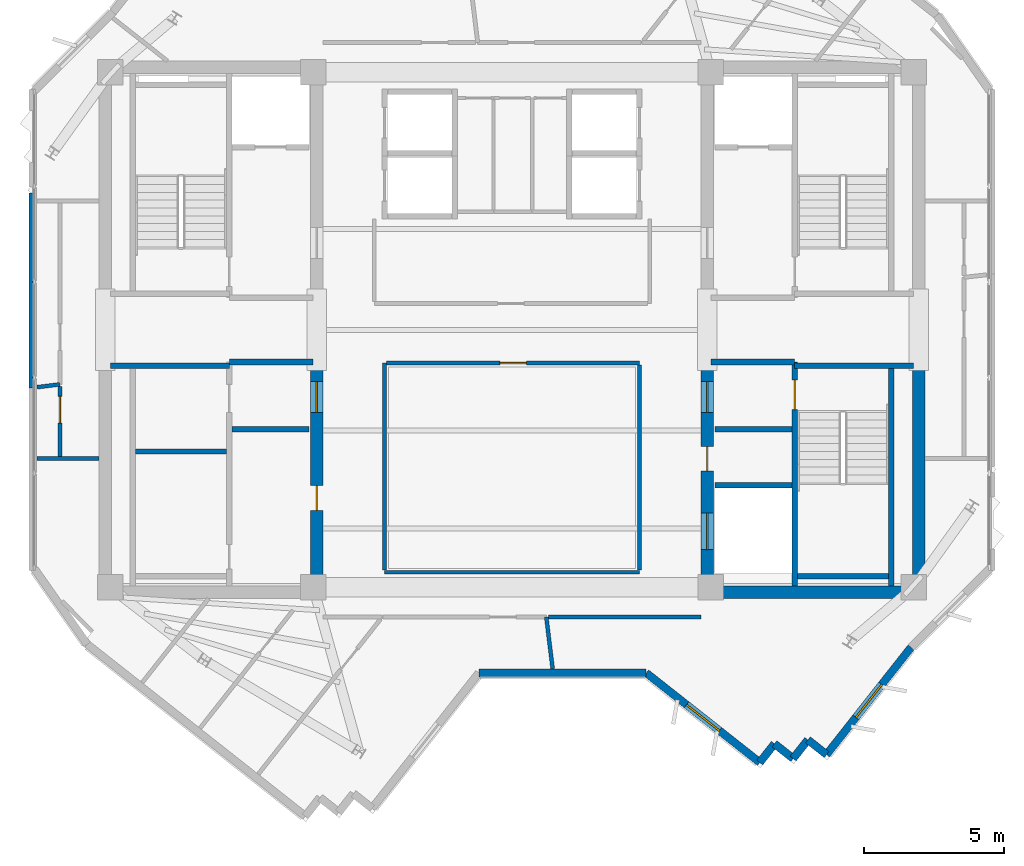
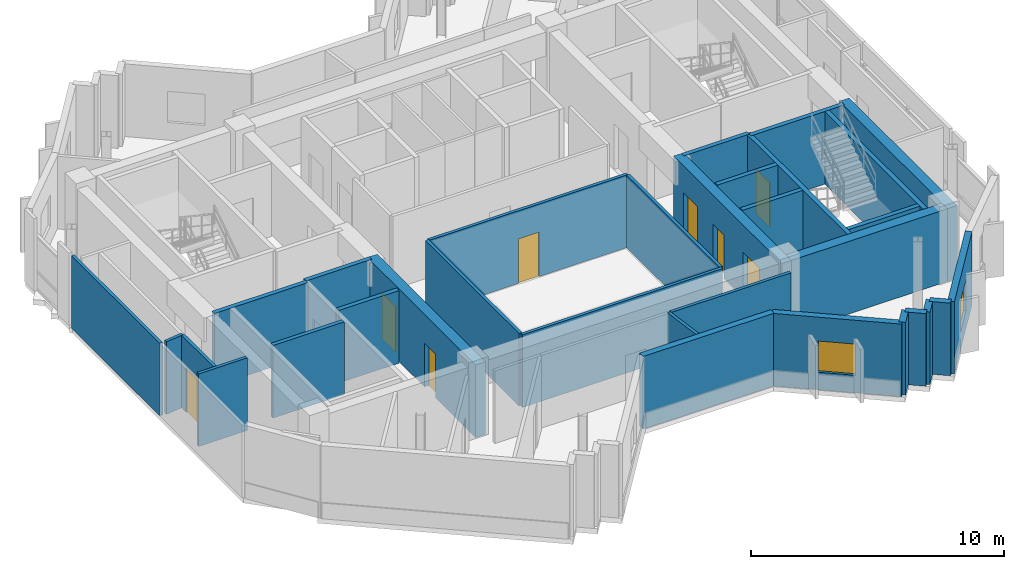
# One storey, part 5 of 10: 32 walls, 8 doors, 2 windows, 10 openings.
"""IFC4 building model written with IfcOpenShell, lengths in metres."""

from ifc_helpers import new_model, si_unit, direction, frame, frame_2d, origin, place, context, subcontext, project, spatial, rectangle, extrude, source, transform, mapped, material, layer, layer_set, type_object, element, fill, save


model = new_model("IFC4")

# Units and contexts
model_context = context("Model", 3, precision=1e-05, world=origin(), true_north=direction((0.0, 1.0)))
body_context = subcontext(model_context, "Body", "Model", "MODEL_VIEW")
ifc_project = project(units=[si_unit("LENGTHUNIT", "METRE"), si_unit("AREAUNIT", "SQUARE_METRE"), si_unit("VOLUMEUNIT", "CUBIC_METRE"), si_unit("PLANEANGLEUNIT", "RADIAN"), si_unit("MASSUNIT", "GRAM", prefix="KILO")], contexts=[model_context])

# Site, building, storey
site_placement = place(None, origin())
site = spatial("IfcSite", under=ifc_project, at=site_placement, CompositionType="ELEMENT")
building_placement = place(site_placement, origin())
building = spatial("IfcBuilding", under=site, at=building_placement, Name="Zahravan Cultural Tower", CompositionType="ELEMENT")
storey_placement = place(building_placement, frame((0.0, 0.0, 323.550048828125)))
storey = spatial("IfcBuildingStorey", under=building, at=storey_placement, Name="L78", CompositionType="ELEMENT", Elevation=323.550048828125)

# Wall, openings, doors
ifc_material_1 = material(Name="Concrete C50/60", Category="concrete")
ifc_layer_1 = layer(ifc_material_1, 0.449951171875)
ifc_layer_set_1 = layer_set([ifc_layer_1], Name="Concrete C50/60")
wall_type_1 = type_object("IfcWallType", Name="CW-SHEAR-450-C50", PredefinedType="SHEAR", material=ifc_layer_set_1)
wall_1_placement = place(storey_placement, frame((29.02490234375, 17.39990234375, 0.0), z_axis=(0.0, 0.0, 1.0), x_axis=(0.0, 1.0, 0.0)))
wall_1 = element("IfcWall", 1, at=wall_1_placement, inside=storey, type_object=wall_type_1, Name="L78 Core Shear Wall CW-W-ES-L78", PredefinedType="SHEAR", context=body_context, shape_type="SweptSolid", body=[
    extrude(rectangle(XDim=8.550048828125, YDim=0.449951171875, at=frame_2d((4.27490234375, 0.0))), origin(), (0.0, 0.0, 1.0), 3.5),
])
opening_1_placement = place(wall_1_placement, frame((6.64990234375, 0.0, 0.0)))
opening_1 = element("IfcOpeningElement", 2, at=opening_1_placement, cuts=wall_1, Name="Opening D-L78-08", PredefinedType="OPENING", context=body_context, shape_type="SweptSolid", body=[
    extrude(rectangle(XDim=1.10009765625, YDim=2.199951171875, at=frame_2d((0.550048828125, 1.10009765625))), frame((0.0, 0.23486328125, 0.0), z_axis=(0.0, -1.0, 0.0), x_axis=(1.0, 0.0, 0.0)), (0.0, 0.0, 1.0), 0.469970703125),
])
opening_2_placement = place(wall_1_placement, frame((3.14990234375, 0.0, 0.0)))
opening_2 = element("IfcOpeningElement", 3, at=opening_2_placement, cuts=wall_1, Name="Opening D-L78-10", PredefinedType="OPENING", context=body_context, shape_type="SweptSolid", body=[
    extrude(rectangle(XDim=0.8798828125, YDim=2.10009765625, at=frame_2d((0.43994140625, 1.050048828125))), frame((0.0, 0.23486328125, 0.0), z_axis=(0.0, -1.0, 0.0), x_axis=(1.0, 0.0, 0.0)), (0.0, 0.0, 1.0), 0.469970703125),
])
ifc_material_2 = material(Name="Steel ASTM A572 Grade 50", Category="steel")
door_type_1 = type_object("IfcDoorType", Name="DR-LOBBY-1100", OperationType="NOTDEFINED", PredefinedType="DOOR", material=ifc_material_2)
shared_shape_1 = source(origin(), body_context, "Body", "SweptSolid", [
    extrude(rectangle(XDim=1.10009765625, YDim=2.199951171875, at=frame_2d((0.550048828125, 1.10009765625))), frame((0.0, 0.02490234375, 0.0), z_axis=(0.0, -1.0, 0.0), x_axis=(1.0, 0.0, 0.0)), (0.0, 0.0, 1.0), 0.050048828125),
])
door_1_placement = place(opening_1_placement, origin())
door_1 = element("IfcDoor", 4, at=door_1_placement, inside=storey, type_object=door_type_1, Name="L78 Door D-L78-08", OperationType="SINGLE_SWING_LEFT", OverallHeight=2.199951171875, OverallWidth=1.10009765625, PredefinedType="DOOR", context=body_context, shape_type="MappedRepresentation", body=[
    mapped(shared_shape_1, transform((0.0, 0.0, 0.0), x_axis=(1.0, 0.0, 0.0), y_axis=(0.0, 1.0, 0.0), z_axis=(0.0, 0.0, 1.0), scale=1.0)),
])
fill(opening_1, door_1)
door_type_2 = type_object("IfcDoorType", Name="DR-SVC-880", OperationType="NOTDEFINED", PredefinedType="DOOR", material=ifc_material_2)
shared_shape_2 = source(origin(), body_context, "Body", "SweptSolid", [
    extrude(rectangle(XDim=0.8798828125, YDim=2.10009765625, at=frame_2d((0.43994140625, 1.050048828125))), frame((0.0, 0.02490234375, 0.0), z_axis=(0.0, -1.0, 0.0), x_axis=(1.0, 0.0, 0.0)), (0.0, 0.0, 1.0), 0.050048828125),
])
door_2_placement = place(opening_2_placement, origin())
door_2 = element("IfcDoor", 5, at=door_2_placement, inside=storey, type_object=door_type_2, Name="L78 Door D-L78-10", OperationType="SINGLE_SWING_LEFT", OverallHeight=2.10009765625, OverallWidth=0.8798828125, PredefinedType="DOOR", context=body_context, shape_type="MappedRepresentation", body=[
    mapped(shared_shape_2, transform((0.0, 0.0, 0.0), x_axis=(1.0, 0.0, 0.0), y_axis=(0.0, 1.0, 0.0), z_axis=(0.0, 0.0, 1.0), scale=1.0)),
])
fill(opening_2, door_2)

wall_2_placement = place(storey_placement, frame((42.97509765625, 17.39990234375, 0.0), z_axis=(0.0, 0.0, 1.0), x_axis=(0.0, 1.0, 0.0)))
wall_2 = element("IfcWall", 6, at=wall_2_placement, inside=storey, type_object=wall_type_1, Name="L78 Core Shear Wall CW-E-WS-L78", PredefinedType="SHEAR", context=body_context, shape_type="SweptSolid", body=[
    extrude(rectangle(XDim=8.550048828125, YDim=0.449951171875, at=frame_2d((4.27490234375, 0.0))), origin(), (0.0, 0.0, 1.0), 3.5),
])
opening_3_placement = place(wall_2_placement, frame((6.64990234375, 0.0, 0.0)))
opening_3 = element("IfcOpeningElement", 7, at=opening_3_placement, cuts=wall_2, Name="Opening D-L78-09", PredefinedType="OPENING", context=body_context, shape_type="SweptSolid", body=[
    extrude(rectangle(XDim=1.10009765625, YDim=2.199951171875, at=frame_2d((0.550048828125, 1.10009765625))), frame((0.0, 0.23486328125, 0.0), z_axis=(0.0, -1.0, 0.0), x_axis=(1.0, 0.0, 0.0)), (0.0, 0.0, 1.0), 0.469970703125),
])
opening_4_placement = place(wall_2_placement, frame((1.75, 0.0, 0.0)))
opening_4 = element("IfcOpeningElement", 8, at=opening_4_placement, cuts=wall_2, Name="Opening LD-L78-03", PredefinedType="OPENING", context=body_context, shape_type="SweptSolid", body=[
    extrude(rectangle(XDim=1.300048828125, YDim=2.199951171875, at=frame_2d((0.64990234375, 1.10009765625))), frame((0.0, 0.23486328125, 0.0), z_axis=(0.0, -1.0, 0.0), x_axis=(1.0, 0.0, 0.0)), (0.0, 0.0, 1.0), 0.469970703125),
])
opening_5_placement = place(wall_2_placement, frame((4.550048828125, 0.0, 0.0)))
opening_5 = element("IfcOpeningElement", 9, at=opening_5_placement, cuts=wall_2, Name="Opening D-L78-11", PredefinedType="OPENING", context=body_context, shape_type="SweptSolid", body=[
    extrude(rectangle(XDim=0.8798828125, YDim=2.10009765625, at=frame_2d((0.43994140625, 1.050048828125))), frame((0.0, 0.23486328125, 0.0), z_axis=(0.0, -1.0, 0.0), x_axis=(1.0, 0.0, 0.0)), (0.0, 0.0, 1.0), 0.469970703125),
])
door_3_placement = place(opening_3_placement, origin())
door_3 = element("IfcDoor", 10, at=door_3_placement, inside=storey, type_object=door_type_1, Name="L78 Door D-L78-09", OperationType="SINGLE_SWING_RIGHT", OverallHeight=2.199951171875, OverallWidth=1.10009765625, PredefinedType="DOOR", context=body_context, shape_type="MappedRepresentation", body=[
    mapped(shared_shape_1, transform((0.0, 0.0, 0.0), x_axis=(1.0, 0.0, 0.0), y_axis=(0.0, 1.0, 0.0), z_axis=(0.0, 0.0, 1.0), scale=1.0)),
])
fill(opening_3, door_3)
door_type_3 = type_object("IfcDoorType", Name="DR-LIFT-1300", OperationType="DOUBLE_DOOR_SLIDING", PredefinedType="DOOR", material=ifc_material_2)
shared_shape_3 = source(origin(), body_context, "Body", "SweptSolid", [
    extrude(rectangle(XDim=1.300048828125, YDim=2.199951171875, at=frame_2d((0.64990234375, 1.10009765625))), frame((0.0, 0.02490234375, 0.0), z_axis=(0.0, -1.0, 0.0), x_axis=(1.0, 0.0, 0.0)), (0.0, 0.0, 1.0), 0.050048828125),
])
door_4_placement = place(opening_4_placement, origin())
door_4 = element("IfcDoor", 11, at=door_4_placement, inside=storey, type_object=door_type_3, Name="L78 Door LD-L78-03", OperationType="DOUBLE_DOOR_SLIDING", OverallHeight=2.199951171875, OverallWidth=1.300048828125, PredefinedType="DOOR", context=body_context, shape_type="MappedRepresentation", body=[
    mapped(shared_shape_3, transform((0.0, 0.0, 0.0), x_axis=(1.0, 0.0, 0.0), y_axis=(0.0, 1.0, 0.0), z_axis=(0.0, 0.0, 1.0), scale=1.0)),
])
fill(opening_4, door_4)
door_5_placement = place(opening_5_placement, origin())
door_5 = element("IfcDoor", 12, at=door_5_placement, inside=storey, type_object=door_type_2, Name="L78 Door D-L78-11", OperationType="SINGLE_SWING_RIGHT", OverallHeight=2.10009765625, OverallWidth=0.8798828125, PredefinedType="DOOR", context=body_context, shape_type="MappedRepresentation", body=[
    mapped(shared_shape_2, transform((0.0, 0.0, 0.0), x_axis=(1.0, 0.0, 0.0), y_axis=(0.0, 1.0, 0.0), z_axis=(0.0, 0.0, 1.0), scale=1.0)),
])
fill(opening_5, door_5)

# Wall, opening, window
ifc_material_3 = material(Name="Precast concrete C40/50", Category="concrete")
ifc_layer_2 = layer(ifc_material_3, 0.280029296875)
ifc_layer_set_2 = layer_set([ifc_layer_2], Name="Precast concrete C40/50")
wall_type_2 = type_object("IfcWallType", Name="EW-TC-280", PredefinedType="SOLIDWALL", material=ifc_layer_set_2)
wall_3_placement = place(storey_placement, frame((50.257568359375, 15.655517578125, 0.0), z_axis=(0.0, 0.0, 1.0), x_axis=(-0.619093990715, -0.785316898239, 0.0)))
wall_3 = element("IfcWall", 13, at=wall_3_placement, inside=storey, type_object=wall_type_2, Name="L78 Exterior Masonry Frame Wall 17", PredefinedType="SOLIDWALL", context=body_context, shape_type="SweptSolid", body=[
    extrude(rectangle(XDim=4.877685546875, YDim=0.280029296875, at=frame_2d((2.43896484375, 0.0))), origin(), (0.0, 0.0, 1.0), 3.5),
])
opening_6_placement = place(wall_3_placement, frame((1.68896484375, 0.0, 0.85009765625)))
opening_6 = element("IfcOpeningElement", 14, at=opening_6_placement, cuts=wall_3, Name="Opening WN-03", PredefinedType="OPENING", context=body_context, shape_type="SweptSolid", body=[
    extrude(rectangle(XDim=1.5, YDim=1.5, at=frame_2d((0.75, 0.75))), frame((0.0, 0.14990234375, 0.0), z_axis=(0.0, -1.0, 0.0), x_axis=(1.0, 0.0, 0.0)), (0.0, 0.0, 1.0), 0.300048828125),
])
ifc_material_4 = material(Name="Low-E solar-control double glazing", Category="glass")
window_type = type_object("IfcWindowType", Name="WN-REC-1500X1500", PartitioningType="SINGLE_PANEL", PredefinedType="WINDOW", material=ifc_material_4)
shared_shape_4 = source(origin(), body_context, "Body", "SweptSolid", [
    extrude(rectangle(XDim=1.5, YDim=1.5, at=frame_2d((0.75, 0.75))), frame((0.0, 0.030029296875, 0.0), z_axis=(0.0, -1.0, 0.0), x_axis=(1.0, 0.0, 0.0)), (0.0, 0.0, 1.0), 0.06005859375),
])
window_1_placement = place(opening_6_placement, origin())
window_1 = element("IfcWindow", 15, at=window_1_placement, inside=storey, type_object=window_type, Name="L78 Recessed Solar Window 06", OverallHeight=1.5, OverallWidth=1.5, PartitioningType="SINGLE_PANEL", PredefinedType="WINDOW", context=body_context, shape_type="MappedRepresentation", body=[
    mapped(shared_shape_4, transform((0.0, 0.0, 0.0), x_axis=(1.0, 0.0, 0.0), y_axis=(0.0, 1.0, 0.0), z_axis=(0.0, 0.0, 1.0), scale=1.0)),
])
fill(opening_6, window_1)

wall_4_placement = place(storey_placement, frame((44.85009765625, 11.542236328125, 0.0), z_axis=(0.0, 0.0, 1.0), x_axis=(-0.78530363687, 0.61911081231, 0.0)))
wall_4 = element("IfcWall", 16, at=wall_4_placement, inside=storey, type_object=wall_type_2, Name="L78 Exterior Masonry Frame Wall 22", PredefinedType="SOLIDWALL", context=body_context, shape_type="SweptSolid", body=[
    extrude(rectangle(XDim=5.1650390625, YDim=0.280029296875, at=frame_2d((2.58251953125, 0.0))), origin(), (0.0, 0.0, 1.0), 3.5),
])
opening_7_placement = place(wall_4_placement, frame((1.8330078125, 0.0, 0.85009765625)))
opening_7 = element("IfcOpeningElement", 17, at=opening_7_placement, cuts=wall_4, Name="Opening WN-03", PredefinedType="OPENING", context=body_context, shape_type="SweptSolid", body=[
    extrude(rectangle(XDim=1.5, YDim=1.5, at=frame_2d((0.75, 0.75))), frame((0.0, 0.14990234375, 0.0), z_axis=(0.0, -1.0, 0.0), x_axis=(1.0, 0.0, 0.0)), (0.0, 0.0, 1.0), 0.300048828125),
])
window_2_placement = place(opening_7_placement, origin())
window_2 = element("IfcWindow", 18, at=window_2_placement, inside=storey, type_object=window_type, Name="L78 Recessed Solar Window 07", OverallHeight=1.5, OverallWidth=1.5, PartitioningType="SINGLE_PANEL", PredefinedType="WINDOW", context=body_context, shape_type="MappedRepresentation", body=[
    mapped(shared_shape_4, transform((0.0, 0.0, 0.0), x_axis=(1.0, 0.0, 0.0), y_axis=(0.0, 1.0, 0.0), z_axis=(0.0, 0.0, 1.0), scale=1.0)),
])
fill(opening_7, window_2)

# Wall, opening, door
ifc_material_5 = material(Name="Gypsum plasterboard partition")
ifc_layer_3 = layer(ifc_material_5, 0.139892578125)
ifc_layer_set_3 = layer_set([ifc_layer_3], Name="Gypsum plasterboard partition")
wall_type_3 = type_object("IfcWallType", Name="W-PART-140", PredefinedType="PARTITIONING", material=ifc_layer_set_3)
wall_5_placement = place(storey_placement, frame((19.85009765625, 24.974609375, 0.0), z_axis=(0.0, 0.0, 1.0), x_axis=(0.000379434615, -0.999999928015, 0.0)))
wall_5 = element("IfcWall", 19, at=wall_5_placement, inside=storey, type_object=wall_type_3, Name="L78 Interior Wall 064", PredefinedType="PARTITIONING", context=body_context, shape_type="SweptSolid", body=[
    extrude(rectangle(XDim=2.57373046875, YDim=0.139892578125, at=frame_2d((1.286865234375, 0.0))), origin(), (0.0, 0.0, 1.0), 3.5),
])
opening_8_placement = place(wall_5_placement, frame((0.357177734375, 0.0, 0.0)))
opening_8 = element("IfcOpeningElement", 20, at=opening_8_placement, cuts=wall_5, Name="Opening D-L78-21", PredefinedType="OPENING", context=body_context, shape_type="SweptSolid", body=[
    extrude(rectangle(XDim=0.949951171875, YDim=2.14990234375, at=frame_2d((0.47509765625, 1.074951171875))), frame((0.0, 0.079833984375, 0.0), z_axis=(0.0, -1.0, 0.0), x_axis=(1.0, 0.0, 0.0)), (0.0, 0.0, 1.0), 0.159912109375),
])
ifc_material_6 = material(Name="Anodised bronze-aluminium mullion", Category="aluminium")
door_type_4 = type_object("IfcDoorType", Name="DR-ROOM-950", OperationType="NOTDEFINED", PredefinedType="DOOR", material=ifc_material_6)
shared_shape_5 = source(origin(), body_context, "Body", "SweptSolid", [
    extrude(rectangle(XDim=0.949951171875, YDim=2.14990234375, at=frame_2d((0.47509765625, 1.074951171875))), frame((0.0, 0.02490234375, 0.0), z_axis=(0.0, -1.0, 0.0), x_axis=(1.0, 0.0, 0.0)), (0.0, 0.0, 1.0), 0.050048828125),
])
door_6_placement = place(opening_8_placement, origin())
door_6 = element("IfcDoor", 21, at=door_6_placement, inside=storey, type_object=door_type_4, Name="L78 Door D-L78-21", OperationType="SINGLE_SWING_RIGHT", OverallHeight=2.14990234375, OverallWidth=0.949951171875, PredefinedType="DOOR", context=body_context, shape_type="MappedRepresentation", body=[
    mapped(shared_shape_5, transform((0.0, 0.0, 0.0), x_axis=(1.0, 0.0, 0.0), y_axis=(0.0, 1.0, 0.0), z_axis=(0.0, 0.0, 1.0), scale=1.0)),
])
fill(opening_8, door_6)

wall_6_placement = place(storey_placement, frame((31.514892578125, 25.81005859375, 0.0), z_axis=(0.0, 0.0, 1.0), x_axis=(1.0, 0.0, 0.0)))
wall_6 = element("IfcWall", 22, at=wall_6_placement, inside=storey, type_object=wall_type_3, Name="L78 Interior Wall 089", PredefinedType="PARTITIONING", context=body_context, shape_type="SweptSolid", body=[
    extrude(rectangle(XDim=9.045166015625, YDim=0.139892578125, at=frame_2d((4.5224609375, 0.0))), origin(), (0.0, 0.0, 1.0), 3.5),
])
opening_9_placement = place(wall_6_placement, frame((4.047607421875, 0.0, 0.0)))
opening_9 = element("IfcOpeningElement", 23, at=opening_9_placement, cuts=wall_6, Name="Opening D-L78-12", PredefinedType="OPENING", context=body_context, shape_type="SweptSolid", body=[
    extrude(rectangle(XDim=0.949951171875, YDim=2.14990234375, at=frame_2d((0.47509765625, 1.074951171875))), frame((0.0, 0.079833984375, 0.0), z_axis=(0.0, -1.0, 0.0), x_axis=(1.0, 0.0, 0.0)), (0.0, 0.0, 1.0), 0.159912109375),
])
door_7_placement = place(opening_9_placement, origin())
door_7 = element("IfcDoor", 24, at=door_7_placement, inside=storey, type_object=door_type_4, Name="L78 Door D-L78-12", OperationType="SINGLE_SWING_LEFT", OverallHeight=2.14990234375, OverallWidth=0.949951171875, PredefinedType="DOOR", context=body_context, shape_type="MappedRepresentation", body=[
    mapped(shared_shape_5, transform((0.0, 0.0, 0.0), x_axis=(1.0, 0.0, 0.0), y_axis=(0.0, 1.0, 0.0), z_axis=(0.0, 0.0, 1.0), scale=1.0)),
])
fill(opening_9, door_7)

ifc_material_7 = material(Name="Concrete C45/55", Category="concrete")
ifc_layer_4 = layer(ifc_material_7, 0.199951171875)
ifc_layer_set_4 = layer_set([ifc_layer_4], Name="Concrete C45/55")
wall_type_4 = type_object("IfcWallType", Name="W-SHAFT-200", PredefinedType="SOLIDWALL", material=ifc_layer_set_4)
wall_7_placement = place(storey_placement, frame((46.10009765625, 17.85009765625, 0.0), z_axis=(0.0, 0.0, 1.0), x_axis=(0.0, 1.0, 0.0)))
wall_7 = element("IfcWall", 25, at=wall_7_placement, inside=storey, type_object=wall_type_4, Name="L78 Interior Wall 007", PredefinedType="SOLIDWALL", context=body_context, shape_type="SweptSolid", body=[
    extrude(rectangle(XDim=8.0, YDim=0.199951171875, at=frame_2d((4.0, 0.0))), origin(), (0.0, 0.0, 1.0), 3.5),
])
opening_10_placement = place(wall_7_placement, frame((6.300048828125, 0.0, 0.0)))
opening_10 = element("IfcOpeningElement", 26, at=opening_10_placement, cuts=wall_7, Name="Opening D-L78-03", PredefinedType="OPENING", context=body_context, shape_type="SweptSolid", body=[
    extrude(rectangle(XDim=1.050048828125, YDim=2.14990234375, at=frame_2d((0.52490234375, 1.074951171875))), frame((0.0, 0.10986328125, 0.0), z_axis=(0.0, -1.0, 0.0), x_axis=(1.0, 0.0, 0.0)), (0.0, 0.0, 1.0), 0.219970703125),
])
door_type_5 = type_object("IfcDoorType", Name="DR-STAIR-1050", OperationType="NOTDEFINED", PredefinedType="DOOR", material=ifc_material_2)
shared_shape_6 = source(origin(), body_context, "Body", "SweptSolid", [
    extrude(rectangle(XDim=1.050048828125, YDim=2.14990234375, at=frame_2d((0.52490234375, 1.074951171875))), frame((0.0, 0.02490234375, 0.0), z_axis=(0.0, -1.0, 0.0), x_axis=(1.0, 0.0, 0.0)), (0.0, 0.0, 1.0), 0.050048828125),
])
door_8_placement = place(opening_10_placement, origin())
door_8 = element("IfcDoor", 27, at=door_8_placement, inside=storey, type_object=door_type_5, Name="L78 Door D-L78-03", OperationType="SINGLE_SWING_RIGHT", OverallHeight=2.14990234375, OverallWidth=1.050048828125, PredefinedType="DOOR", context=body_context, shape_type="MappedRepresentation", body=[
    mapped(shared_shape_6, transform((0.0, 0.0, 0.0), x_axis=(1.0, 0.0, 0.0), y_axis=(0.0, 1.0, 0.0), z_axis=(0.0, 0.0, 1.0), scale=1.0)),
])
fill(opening_10, door_8)

# Walls
shared_shape_7 = source(origin(), body_context, "Body", "SweptSolid", [
    extrude(rectangle(XDim=8.550048828125, YDim=0.449951171875, at=frame_2d((4.27490234375, 0.0))), origin(), (0.0, 0.0, 1.0), 3.5),
])
wall_8_placement = place(storey_placement, frame((50.52490234375, 17.39990234375, 0.0), z_axis=(0.0, 0.0, 1.0), x_axis=(0.0, 1.0, 0.0)))
element("IfcWall", 28, at=wall_8_placement, inside=storey, type_object=wall_type_1, Name="L78 Core Shear Wall CW-E-ES-L78", PredefinedType="SHEAR", context=body_context, shape_type="MappedRepresentation", body=[
    mapped(shared_shape_7, transform((0.0, 0.0, 0.0), x_axis=(1.0, 0.0, 0.0), y_axis=(0.0, 1.0, 0.0), z_axis=(0.0, 0.0, 1.0), scale=1.0)),
])
shared_shape_8 = source(origin(), body_context, "Body", "SweptSolid", [
    extrude(rectangle(XDim=7.10009765625, YDim=0.449951171875, at=frame_2d((3.550048828125, 0.0))), origin(), (0.0, 0.0, 1.0), 3.5),
])
wall_9_placement = place(storey_placement, frame((43.199951171875, 17.625, 0.0), z_axis=(0.0, 0.0, 1.0), x_axis=(1.0, 0.0, 0.0)))
element("IfcWall", 29, at=wall_9_placement, inside=storey, type_object=wall_type_1, Name="L78 Core Shear Wall CW-E-S-L78", PredefinedType="SHEAR", context=body_context, shape_type="MappedRepresentation", body=[
    mapped(shared_shape_8, transform((0.0, 0.0, 0.0), x_axis=(1.0, 0.0, 0.0), y_axis=(0.0, 1.0, 0.0), z_axis=(0.0, 0.0, 1.0), scale=1.0)),
])
shared_shape_9 = source(origin(), body_context, "Body", "SweptSolid", [
    extrude(rectangle(XDim=0.85009765625, YDim=0.280029296875, at=frame_2d((0.425048828125, 0.0))), origin(), (0.0, 0.0, 1.0), 3.5),
])
for number, where, z_axis, x_axis, name in (
    (30, (46.5703125, 12.35107421875, 0.0), (0.0, 0.0, 1.0), (-0.619215838066, -0.785220826193, 0.0), "L78 Exterior Masonry Frame Wall 19"),
    (31, (46.0439453125, 11.68359375, 0.0), (0.0, 0.0, 1.0), (-0.785220826193, 0.619215838066, 0.0), "L78 Exterior Masonry Frame Wall 20"),
):
    element("IfcWall", number, at=place(storey_placement, frame(where, z_axis=z_axis, x_axis=x_axis)), inside=storey, type_object=wall_type_2, Name=name, PredefinedType="SOLIDWALL", context=body_context, shape_type="MappedRepresentation", body=[
        mapped(shared_shape_9, transform((0.0, 0.0, 0.0), x_axis=(1.0, 0.0, 0.0), y_axis=(0.0, 1.0, 0.0), z_axis=(0.0, 0.0, 1.0), scale=1.0)),
    ])
shared_shape_10 = source(origin(), body_context, "Body", "SweptSolid", [
    extrude(rectangle(XDim=0.849853515625, YDim=0.280029296875, at=frame_2d((0.4248046875, 0.0))), origin(), (0.0, 0.0, 1.0), 3.5),
])
wall_10_placement = place(storey_placement, frame((47.23779296875, 11.824951171875, 0.0), z_axis=(0.0, 0.0, 1.0), x_axis=(-0.785360476625, 0.619038707801, 0.0)))
element("IfcWall", 32, at=wall_10_placement, inside=storey, type_object=wall_type_2, Name="L78 Exterior Masonry Frame Wall 18", PredefinedType="SOLIDWALL", context=body_context, shape_type="MappedRepresentation", body=[
    mapped(shared_shape_10, transform((0.0, 0.0, 0.0), x_axis=(1.0, 0.0, 0.0), y_axis=(0.0, 1.0, 0.0), z_axis=(0.0, 0.0, 1.0), scale=1.0)),
])
shared_shape_11 = source(origin(), body_context, "Body", "SweptSolid", [
    extrude(rectangle(XDim=0.850341796875, YDim=0.280029296875, at=frame_2d((0.42529296875, 0.0))), origin(), (0.0, 0.0, 1.0), 3.5),
])
wall_11_placement = place(storey_placement, frame((45.37646484375, 12.2099609375, 0.0), z_axis=(0.0, 0.0, 1.0), x_axis=(-0.619076214196, -0.785330911793, 0.0)))
element("IfcWall", 33, at=wall_11_placement, inside=storey, type_object=wall_type_2, Name="L78 Exterior Masonry Frame Wall 21", PredefinedType="SOLIDWALL", context=body_context, shape_type="MappedRepresentation", body=[
    mapped(shared_shape_11, transform((0.0, 0.0, 0.0), x_axis=(1.0, 0.0, 0.0), y_axis=(0.0, 1.0, 0.0), z_axis=(0.0, 0.0, 1.0), scale=1.0)),
])
shared_shape_12 = source(origin(), body_context, "Body", "SweptSolid", [
    extrude(rectangle(XDim=5.978271484375, YDim=0.280029296875, at=frame_2d((2.9892578125, 0.0))), origin(), (0.0, 0.0, 1.0), 3.5),
])
wall_12_placement = place(storey_placement, frame((40.7939453125, 14.739990234375, 0.0), z_axis=(0.0, 0.0, 1.0), x_axis=(-1.0, 0.0, 0.0)))
element("IfcWall", 34, at=wall_12_placement, inside=storey, type_object=wall_type_2, Name="L78 Exterior Masonry Frame Wall 23", PredefinedType="SOLIDWALL", context=body_context, shape_type="MappedRepresentation", body=[
    mapped(shared_shape_12, transform((0.0, 0.0, 0.0), x_axis=(1.0, 0.0, 0.0), y_axis=(0.0, 1.0, 0.0), z_axis=(0.0, 0.0, 1.0), scale=1.0)),
])
shared_shape_13 = source(origin(), body_context, "Body", "SweptSolid", [
    extrude(rectangle(XDim=7.869873046875, YDim=0.199951171875, at=frame_2d((3.93505859375, 0.0))), origin(), (0.0, 0.0, 1.0), 3.5),
])
wall_13_placement = place(storey_placement, frame((49.550048828125, 17.85009765625, 0.0), z_axis=(0.0, 0.0, 1.0), x_axis=(0.0, 1.0, 0.0)))
element("IfcWall", 35, at=wall_13_placement, inside=storey, type_object=wall_type_4, Name="L78 Interior Wall 003", PredefinedType="SOLIDWALL", context=body_context, shape_type="MappedRepresentation", body=[
    mapped(shared_shape_13, transform((0.0, 0.0, 0.0), x_axis=(1.0, 0.0, 0.0), y_axis=(0.0, 1.0, 0.0), z_axis=(0.0, 0.0, 1.0), scale=1.0)),
])
shared_shape_14 = source(origin(), body_context, "Body", "SweptSolid", [
    extrude(rectangle(XDim=4.25, YDim=0.199951171875, at=frame_2d((2.125, 0.0))), origin(), (0.0, 0.0, 1.0), 3.5),
])
for number, where, z_axis, x_axis, name in (
    (36, (21.64990234375, 25.715087890625, 0.0), (0.0, 0.0, 1.0), (1.0, 0.0, 0.0), "L78 Interior Wall 009"),
    (37, (46.10009765625, 25.715087890625, 0.0), (0.0, 0.0, 1.0), (1.0, 0.0, 0.0), "L78 Interior Wall 014"),
):
    element("IfcWall", number, at=place(storey_placement, frame(where, z_axis=z_axis, x_axis=x_axis)), inside=storey, type_object=wall_type_4, Name=name, PredefinedType="SOLIDWALL", context=body_context, shape_type="MappedRepresentation", body=[
        mapped(shared_shape_14, transform((0.0, 0.0, 0.0), x_axis=(1.0, 0.0, 0.0), y_axis=(0.0, 1.0, 0.0), z_axis=(0.0, 0.0, 1.0), scale=1.0)),
    ])
shared_shape_15 = source(origin(), body_context, "Body", "SweptSolid", [
    extrude(rectangle(XDim=3.0, YDim=0.199951171875, at=frame_2d((1.5, 0.0))), origin(), (0.0, 0.0, 1.0), 3.5),
])
for number, where, z_axis, x_axis, name in (
    (38, (25.89990234375, 25.85009765625, 0.0), (0.0, 0.0, 1.0), (1.0, 0.0, 0.0), "L78 Interior Wall 010"),
    (39, (43.10009765625, 25.85009765625, 0.0), (0.0, 0.0, 1.0), (1.0, 0.0, 0.0), "L78 Interior Wall 013"),
):
    element("IfcWall", number, at=place(storey_placement, frame(where, z_axis=z_axis, x_axis=x_axis)), inside=storey, type_object=wall_type_4, Name=name, PredefinedType="SOLIDWALL", context=body_context, shape_type="MappedRepresentation", body=[
        mapped(shared_shape_15, transform((0.0, 0.0, 0.0), x_axis=(1.0, 0.0, 0.0), y_axis=(0.0, 1.0, 0.0), z_axis=(0.0, 0.0, 1.0), scale=1.0)),
    ])
shared_shape_16 = source(origin(), body_context, "Body", "SweptSolid", [
    extrude(rectangle(XDim=3.25, YDim=0.199951171875, at=frame_2d((1.625, 0.0))), origin(), (0.0, 0.0, 1.0), 3.5),
])
wall_14_placement = place(storey_placement, frame((46.199951171875, 18.199951171875, 0.0), z_axis=(0.0, 0.0, 1.0), x_axis=(1.0, 0.0, 0.0)))
element("IfcWall", 40, at=wall_14_placement, inside=storey, type_object=wall_type_4, Name="L78 Interior Wall 020", PredefinedType="SOLIDWALL", context=body_context, shape_type="MappedRepresentation", body=[
    mapped(shared_shape_16, transform((0.0, 0.0, 0.0), x_axis=(1.0, 0.0, 0.0), y_axis=(0.0, 1.0, 0.0), z_axis=(0.0, 0.0, 1.0), scale=1.0)),
])
ifc_layer_5 = layer(ifc_material_5, 0.179931640625)
ifc_layer_set_5 = layer_set([ifc_layer_5], Name="Gypsum plasterboard partition")
wall_type_5 = type_object("IfcWallType", Name="W-COMP-180", PredefinedType="PARTITIONING", material=ifc_layer_set_5)
shared_shape_17 = source(origin(), body_context, "Body", "SweptSolid", [
    extrude(rectangle(XDim=3.25, YDim=0.179931640625, at=frame_2d((1.625, 0.0))), origin(), (0.0, 0.0, 1.0), 3.5),
])
wall_15_placement = place(storey_placement, frame((22.550048828125, 22.64990234375, 0.0), z_axis=(0.0, 0.0, 1.0), x_axis=(1.0, 0.0, 0.0)))
element("IfcWall", 41, at=wall_15_placement, inside=storey, type_object=wall_type_5, Name="L78 Interior Wall 021", PredefinedType="PARTITIONING", context=body_context, shape_type="MappedRepresentation", body=[
    mapped(shared_shape_17, transform((0.0, 0.0, 0.0), x_axis=(1.0, 0.0, 0.0), y_axis=(0.0, 1.0, 0.0), z_axis=(0.0, 0.0, 1.0), scale=1.0)),
])
shared_shape_18 = source(origin(), body_context, "Body", "SweptSolid", [
    extrude(rectangle(XDim=2.75, YDim=0.199951171875, at=frame_2d((1.375, 0.0))), origin(), (0.0, 0.0, 1.0), 3.5),
])
for number, where, z_axis, x_axis, name in (
    (42, (26.0, 23.449951171875, 0.0), (0.0, 0.0, 1.0), (1.0, 0.0, 0.0), "L78 Interior Wall 024"),
    (43, (43.25, 23.449951171875, 0.0), (0.0, 0.0, 1.0), (1.0, 0.0, 0.0), "L78 Interior Wall 025"),
    (44, (43.25, 21.449951171875, 0.0), (0.0, 0.0, 1.0), (1.0, 0.0, 0.0), "L78 Interior Wall 026"),
):
    element("IfcWall", number, at=place(storey_placement, frame(where, z_axis=z_axis, x_axis=x_axis)), inside=storey, type_object=wall_type_4, Name=name, PredefinedType="SOLIDWALL", context=body_context, shape_type="MappedRepresentation", body=[
        mapped(shared_shape_18, transform((0.0, 0.0, 0.0), x_axis=(1.0, 0.0, 0.0), y_axis=(0.0, 1.0, 0.0), z_axis=(0.0, 0.0, 1.0), scale=1.0)),
    ])
shared_shape_19 = source(origin(), body_context, "Body", "SweptSolid", [
    extrude(rectangle(XDim=9.1201171875, YDim=0.139892578125, at=frame_2d((4.56005859375, 0.0))), origin(), (0.0, 0.0, 1.0), 3.5),
])
wall_16_placement = place(storey_placement, frame((40.56005859375, 18.340087890625, 0.0), z_axis=(0.0, 0.0, 1.0), x_axis=(-1.0, 0.0, 0.0)))
element("IfcWall", 45, at=wall_16_placement, inside=storey, type_object=wall_type_3, Name="L78 Interior Wall 087", PredefinedType="PARTITIONING", context=body_context, shape_type="MappedRepresentation", body=[
    mapped(shared_shape_19, transform((0.0, 0.0, 0.0), x_axis=(1.0, 0.0, 0.0), y_axis=(0.0, 1.0, 0.0), z_axis=(0.0, 0.0, 1.0), scale=1.0)),
])
shared_shape_20 = source(origin(), body_context, "Body", "SweptSolid", [
    extrude(rectangle(XDim=7.39501953125, YDim=0.139892578125, at=frame_2d((3.697509765625, 0.0))), origin(), (0.0, 0.0, 1.0), 3.5),
])
wall_17_placement = place(storey_placement, frame((31.43994140625, 18.4150390625, 0.0), z_axis=(0.0, 0.0, 1.0), x_axis=(0.0, 1.0, 0.0)))
element("IfcWall", 46, at=wall_17_placement, inside=storey, type_object=wall_type_3, Name="L78 Interior Wall 088", PredefinedType="PARTITIONING", context=body_context, shape_type="MappedRepresentation", body=[
    mapped(shared_shape_20, transform((0.0, 0.0, 0.0), x_axis=(1.0, 0.0, 0.0), y_axis=(0.0, 1.0, 0.0), z_axis=(0.0, 0.0, 1.0), scale=1.0)),
])
shared_shape_21 = source(origin(), body_context, "Body", "SweptSolid", [
    extrude(rectangle(XDim=7.320068359375, YDim=0.139892578125, at=frame_2d((3.66015625, 0.0))), origin(), (0.0, 0.0, 1.0), 3.5),
])
wall_18_placement = place(storey_placement, frame((40.56005859375, 25.735107421875, 0.0), z_axis=(0.0, 0.0, 1.0), x_axis=(0.0, -1.0, 0.0)))
element("IfcWall", 47, at=wall_18_placement, inside=storey, type_object=wall_type_3, Name="L78 Interior Wall 090", PredefinedType="PARTITIONING", context=body_context, shape_type="MappedRepresentation", body=[
    mapped(shared_shape_21, transform((0.0, 0.0, 0.0), x_axis=(1.0, 0.0, 0.0), y_axis=(0.0, 1.0, 0.0), z_axis=(0.0, 0.0, 1.0), scale=1.0)),
])
shared_shape_22 = source(origin(), body_context, "Body", "SweptSolid", [
    extrude(rectangle(XDim=2.215087890625, YDim=0.139892578125, at=frame_2d((1.107421875, 0.0))), origin(), (0.0, 0.0, 1.0), 3.5),
])
wall_19_placement = place(storey_placement, frame((19.030029296875, 22.401611328125, 0.0), z_axis=(0.0, 0.0, 1.0), x_axis=(0.999999702379, -0.000771519665, 0.0)))
element("IfcWall", 48, at=wall_19_placement, inside=storey, type_object=wall_type_3, Name="L78 Interior Wall 065", PredefinedType="PARTITIONING", context=body_context, shape_type="MappedRepresentation", body=[
    mapped(shared_shape_22, transform((0.0, 0.0, 0.0), x_axis=(1.0, 0.0, 0.0), y_axis=(0.0, 1.0, 0.0), z_axis=(0.0, 0.0, 1.0), scale=1.0)),
])
shared_shape_23 = source(origin(), body_context, "Body", "SweptSolid", [
    extrude(rectangle(XDim=0.82080078125, YDim=0.139892578125, at=frame_2d((0.410400390625, 0.0))), origin(), (0.0, 0.0, 1.0), 3.5),
])
wall_20_placement = place(storey_placement, frame((19.849609375, 25.050048828125, 0.0), z_axis=(0.0, 0.0, 1.0), x_axis=(-0.992500466698, -0.122240842617, 0.0)))
element("IfcWall", 49, at=wall_20_placement, inside=storey, type_object=wall_type_3, Name="L78 Interior Wall 059", PredefinedType="PARTITIONING", context=body_context, shape_type="MappedRepresentation", body=[
    mapped(shared_shape_23, transform((0.0, 0.0, 0.0), x_axis=(1.0, 0.0, 0.0), y_axis=(0.0, 1.0, 0.0), z_axis=(0.0, 0.0, 1.0), scale=1.0)),
])
shared_shape_24 = source(origin(), body_context, "Body", "SweptSolid", [
    extrude(rectangle(XDim=6.968017578125, YDim=0.139892578125, at=frame_2d((3.48388671875, 0.0))), origin(), (0.0, 0.0, 1.0), 3.5),
])
wall_21_placement = place(storey_placement, frame((18.820068359375, 24.92333984375, 0.0), z_axis=(0.0, 0.0, 1.0), x_axis=(0.0, 1.0, 0.0)))
element("IfcWall", 50, at=wall_21_placement, inside=storey, type_object=wall_type_3, Name="L78 Interior Wall 060", PredefinedType="PARTITIONING", context=body_context, shape_type="MappedRepresentation", body=[
    mapped(shared_shape_24, transform((0.0, 0.0, 0.0), x_axis=(1.0, 0.0, 0.0), y_axis=(0.0, 1.0, 0.0), z_axis=(0.0, 0.0, 1.0), scale=1.0)),
])
shared_shape_25 = source(origin(), body_context, "Body", "SweptSolid", [
    extrude(rectangle(XDim=1.86865234375, YDim=0.139892578125, at=frame_2d((0.934326171875, 0.0))), origin(), (0.0, 0.0, 1.0), 3.5),
])
wall_22_placement = place(storey_placement, frame((37.224609375, 16.73974609375, 0.0), z_axis=(0.0, 0.0, 1.0), x_axis=(0.122153221409, -0.992511254596, 0.0)))
element("IfcWall", 51, at=wall_22_placement, inside=storey, type_object=wall_type_3, Name="L78 Interior Wall 079", PredefinedType="PARTITIONING", context=body_context, shape_type="MappedRepresentation", body=[
    mapped(shared_shape_25, transform((0.0, 0.0, 0.0), x_axis=(1.0, 0.0, 0.0), y_axis=(0.0, 1.0, 0.0), z_axis=(0.0, 0.0, 1.0), scale=1.0)),
])
shared_shape_26 = source(origin(), body_context, "Body", "SweptSolid", [
    extrude(rectangle(XDim=5.44384765625, YDim=0.139892578125, at=frame_2d((2.721923828125, 0.0))), origin(), (0.0, 0.0, 1.0), 3.5),
])
wall_23_placement = place(storey_placement, frame((37.30029296875, 16.739990234375, 0.0), z_axis=(0.0, 0.0, 1.0), x_axis=(1.0, 0.0, 0.0)))
element("IfcWall", 52, at=wall_23_placement, inside=storey, type_object=wall_type_3, Name="L78 Interior Wall 081", PredefinedType="PARTITIONING", context=body_context, shape_type="MappedRepresentation", body=[
    mapped(shared_shape_26, transform((0.0, 0.0, 0.0), x_axis=(1.0, 0.0, 0.0), y_axis=(0.0, 1.0, 0.0), z_axis=(0.0, 0.0, 1.0), scale=1.0)),
])

save(model, "model.ifc")
